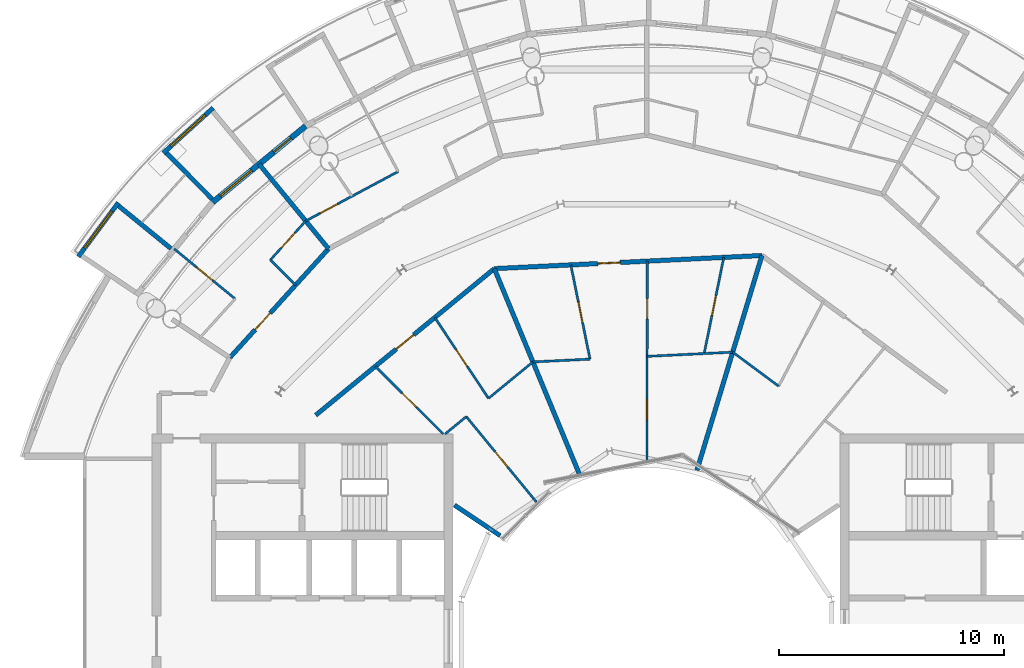
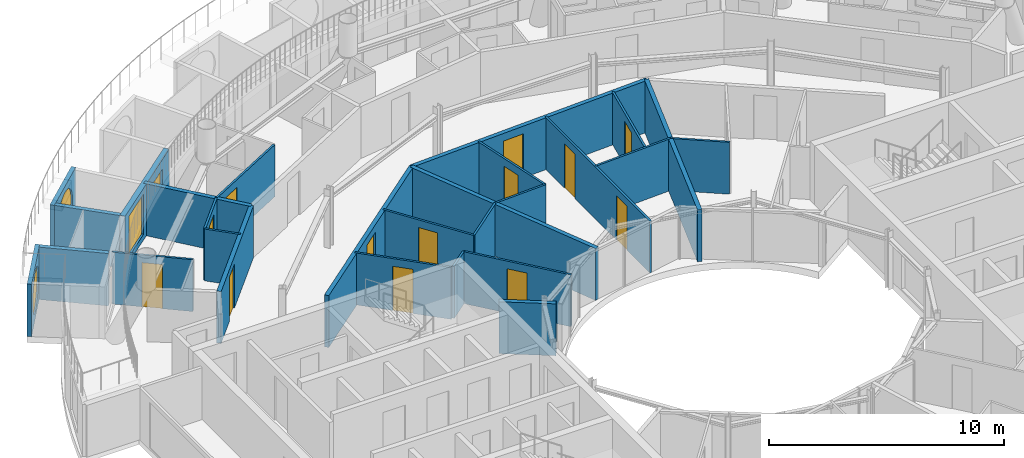
# One storey, part 20 of 29: 27 walls, 14 doors, 3 windows, 17 openings.
"""IFC4 building model written with IfcOpenShell, lengths in metres."""

from ifc_helpers import new_model, si_unit, direction, frame, frame_2d, origin, place, context, subcontext, project, spatial, rectangle, circle, extrude, material, layer, layer_set, type_object, element, fill, save


model = new_model("IFC4")

# Units and contexts
model_context = context("Model", 3, precision=1e-05, world=origin(), true_north=direction((0.0, 1.0)))
body_context = subcontext(model_context, "Body", "Model", "MODEL_VIEW")
ifc_project = project(units=[si_unit("LENGTHUNIT", "METRE"), si_unit("AREAUNIT", "SQUARE_METRE"), si_unit("VOLUMEUNIT", "CUBIC_METRE"), si_unit("PLANEANGLEUNIT", "RADIAN"), si_unit("MASSUNIT", "GRAM", prefix="KILO")], contexts=[model_context])

# Site, building, storey
site_placement = place(None, origin())
site = spatial("IfcSite", under=ifc_project, at=site_placement, CompositionType="ELEMENT")
building_placement = place(site_placement, origin())
building = spatial("IfcBuilding", under=site, at=building_placement, Name="Maasbend Ring Residences", CompositionType="ELEMENT")
storey_placement = place(building_placement, frame((0.0, 0.0, 234.050048828125)))
storey = spatial("IfcBuildingStorey", under=building, at=storey_placement, Name="L67", CompositionType="ELEMENT", Elevation=234.050048828125)

# Wall, opening, door
ifc_material_1 = material(Name="Concrete C30/37", Category="concrete")
ifc_layer_1 = layer(ifc_material_1, 0.199951171875)
ifc_layer_set_1 = layer_set([ifc_layer_1], Name="Concrete C30/37")
wall_type_1 = type_object("IfcWallType", Name="CORRIDOR WALL 200 CONCRETE", PredefinedType="PARTITIONING", material=ifc_layer_set_1)
wall_1_placement = place(storey_placement, frame((-6.77392578125, 16.35302734375, 0.0), z_axis=(0.0, 0.0, 1.0), x_axis=(0.998797244, 0.049031269395, 0.0)))
wall_1 = element("IfcWall", 1, at=wall_1_placement, inside=storey, type_object=wall_type_1, Name="U-L67-w104", PredefinedType="PARTITIONING", context=body_context, shape_type="SweptSolid", body=[
    extrude(rectangle(XDim=11.930419921875, YDim=0.199951171875, at=frame_2d((5.96533203125, 0.0))), origin(), (0.0, 0.0, 1.0), 2.699951171875),
])
opening_1_placement = place(wall_1_placement, frame((4.611083984375, 0.0, 0.0)))
opening_1 = element("IfcOpeningElement", 2, at=opening_1_placement, cuts=wall_1, Name="Opening D-6725", PredefinedType="OPENING", context=body_context, shape_type="SweptSolid", body=[
    extrude(rectangle(XDim=1.0, YDim=2.300048828125, at=frame_2d((0.5, 1.14990234375))), frame((0.0, 0.10986328125, 0.0), z_axis=(0.0, -1.0, 0.0), x_axis=(1.0, 0.0, 0.0)), (0.0, 0.0, 1.0), 0.219970703125),
])
ifc_material_2 = material(Name="Timber, fire-rated, painted", Category="wood")
door_type_1 = type_object("IfcDoorType", Name="FLAT ENTRANCE DOOR 1000 X 2300 FIRE-RATED", OperationType="NOTDEFINED", PredefinedType="DOOR", material=ifc_material_2)
door_1_placement = place(opening_1_placement, origin())
door_1 = element("IfcDoor", 3, at=door_1_placement, inside=storey, type_object=door_type_1, Name="D-6725", OperationType="SINGLE_SWING_LEFT", OverallHeight=2.300048828125, OverallWidth=1.0, PredefinedType="DOOR", context=body_context, shape_type="SweptSolid", body=[
    extrude(rectangle(XDim=1.0, YDim=2.300048828125, at=frame_2d((0.5, 1.14990234375))), frame((0.0, 0.02490234375, 0.0), z_axis=(0.0, -1.0, 0.0), x_axis=(1.0, 0.0, 0.0)), (0.0, 0.0, 1.0), 0.050048828125),
])
fill(opening_1, door_1)

wall_2_placement = place(storey_placement, frame((-14.717041015625, 9.833984375, 0.0), z_axis=(0.0, 0.0, 1.0), x_axis=(0.773034536097, 0.634363938131, 0.0)))
wall_2 = element("IfcWall", 4, at=wall_2_placement, inside=storey, type_object=wall_type_1, Name="U-L67-w106", PredefinedType="PARTITIONING", context=body_context, shape_type="SweptSolid", body=[
    extrude(rectangle(XDim=10.276611328125, YDim=0.199951171875, at=frame_2d((5.13818359375, 0.0))), origin(), (0.0, 0.0, 1.0), 2.699951171875),
])
opening_2_placement = place(wall_2_placement, frame((4.637939453125, 0.0, 0.0)))
opening_2 = element("IfcOpeningElement", 5, at=opening_2_placement, cuts=wall_2, Name="Opening D-6730", PredefinedType="OPENING", context=body_context, shape_type="SweptSolid", body=[
    extrude(rectangle(XDim=1.0, YDim=2.300048828125, at=frame_2d((0.5, 1.14990234375))), frame((0.0, 0.10986328125, 0.0), z_axis=(0.0, -1.0, 0.0), x_axis=(1.0, 0.0, 0.0)), (0.0, 0.0, 1.0), 0.219970703125),
])
door_2_placement = place(opening_2_placement, origin())
door_2 = element("IfcDoor", 6, at=door_2_placement, inside=storey, type_object=door_type_1, Name="D-6730", OperationType="SINGLE_SWING_LEFT", OverallHeight=2.300048828125, OverallWidth=1.0, PredefinedType="DOOR", context=body_context, shape_type="SweptSolid", body=[
    extrude(rectangle(XDim=1.0, YDim=2.300048828125, at=frame_2d((0.5, 1.14990234375))), frame((0.0, 0.02490234375, 0.0), z_axis=(0.0, -1.0, 0.0), x_axis=(1.0, 0.0, 0.0)), (0.0, 0.0, 1.0), 0.050048828125),
])
fill(opening_2, door_2)

wall_3_placement = place(storey_placement, frame((-18.5419921875, 12.388916015625, 0.0), z_axis=(0.0, 0.0, 1.0), x_axis=(0.671561669125, 0.740948665268, 0.0)))
wall_3 = element("IfcWall", 7, at=wall_3_placement, inside=storey, type_object=wall_type_1, Name="U-L67-w112", PredefinedType="PARTITIONING", context=body_context, shape_type="SweptSolid", body=[
    extrude(rectangle(XDim=6.54443359375, YDim=0.199951171875, at=frame_2d((3.272216796875, 0.0))), origin(), (0.0, 0.0, 1.0), 2.699951171875),
])
opening_3_placement = place(wall_3_placement, frame((1.681884765625, 0.0, 0.0)))
opening_3 = element("IfcOpeningElement", 8, at=opening_3_placement, cuts=wall_3, Name="Opening D-6718", PredefinedType="OPENING", context=body_context, shape_type="SweptSolid", body=[
    extrude(rectangle(XDim=1.0, YDim=2.300048828125, at=frame_2d((0.5, 1.14990234375))), frame((0.0, 0.10986328125, 0.0), z_axis=(0.0, -1.0, 0.0), x_axis=(1.0, 0.0, 0.0)), (0.0, 0.0, 1.0), 0.219970703125),
])
door_3_placement = place(opening_3_placement, origin())
door_3 = element("IfcDoor", 9, at=door_3_placement, inside=storey, type_object=door_type_1, Name="D-6718", OperationType="SINGLE_SWING_LEFT", OverallHeight=2.300048828125, OverallWidth=1.0, PredefinedType="DOOR", context=body_context, shape_type="SweptSolid", body=[
    extrude(rectangle(XDim=1.0, YDim=2.300048828125, at=frame_2d((0.5, 1.14990234375))), frame((0.0, 0.02490234375, 0.0), z_axis=(0.0, -1.0, 0.0), x_axis=(1.0, 0.0, 0.0)), (0.0, 0.0, 1.0), 0.050048828125),
])
fill(opening_3, door_3)

# Wall, opening, window
ifc_material_3 = material(Name="Pale anodised aluminium panel", Category="aluminium")
ifc_layer_2 = layer(ifc_material_3, 0.199951171875)
ifc_layer_set_2 = layer_set([ifc_layer_2], Name="EW-BOX")
wall_type_2 = type_object("IfcWallType", Name="EW-BOX", PredefinedType="SOLIDWALL", material=ifc_layer_set_2)
wall_4_placement = place(storey_placement, frame((-19.281982421875, 23.5029296875, -0.030029296875), z_axis=(0.0, 0.0, 1.0), x_axis=(-0.740998365753, -0.671506829416, 0.0)))
wall_4 = element("IfcWall", 10, at=wall_4_placement, inside=storey, type_object=wall_type_2, Name="Box front N18", PredefinedType="SOLIDWALL", context=body_context, shape_type="SweptSolid", body=[
    extrude(rectangle(XDim=2.9931640625, YDim=0.199951171875, at=frame_2d((1.49658203125, 0.0))), origin(), (0.0, 0.0, 1.0), 2.72998046875),
])
opening_4_placement = place(wall_4_placement, frame((0.45654296875, 0.0, 0.330078125)))
opening_4 = element("IfcOpeningElement", 11, at=opening_4_placement, cuts=wall_4, Name="Opening W-RD", PredefinedType="OPENING", context=body_context, shape_type="SweptSolid", body=[
    extrude(circle(Radius=1.0400390625, at=frame_2d((1.0400390625, 1.0400390625))), frame((0.0, 0.10986328125, 0.0), z_axis=(0.0, -1.0, 0.0), x_axis=(1.0, 0.0, 0.0)), (0.0, 0.0, 1.0), 0.219970703125),
])
ifc_material_4 = material(Name="Aluminium and clear glass", Category="aluminium")
window_type_1 = type_object("IfcWindowType", Name="W-RD", PartitioningType="SINGLE_PANEL", PredefinedType="WINDOW", material=ifc_material_4)
window_1_placement = place(opening_4_placement, origin())
window_1 = element("IfcWindow", 12, at=window_1_placement, inside=storey, type_object=window_type_1, Name="Round window N18", OverallHeight=2.080078125, OverallWidth=2.080078125, PartitioningType="SINGLE_PANEL", PredefinedType="WINDOW", context=body_context, shape_type="SweptSolid", body=[
    extrude(circle(Radius=1.0400390625, at=frame_2d((1.0400390625, 1.0400390625))), frame((0.0, 0.030029296875, 0.0), z_axis=(0.0, -1.0, 0.0), x_axis=(1.0, 0.0, 0.0)), (0.0, 0.0, 1.0), 0.06005859375),
])
fill(opening_4, window_1)

# Wall
wall_5_placement = place(storey_placement, frame((-19.322998046875, 19.449951171875, -0.030029296875), z_axis=(0.0, 0.0, 1.0), x_axis=(-0.704476739375, 0.709727076896, 0.0)))
element("IfcWall", 13, at=wall_5_placement, inside=storey, type_object=wall_type_2, Name="Box side wall N18 right", PredefinedType="SOLIDWALL", context=body_context, shape_type="SweptSolid", body=[
    extrude(rectangle(XDim=2.883056640625, YDim=0.199951171875, at=frame_2d((1.44140625, 0.0))), origin(), (0.0, 0.0, 1.0), 2.72998046875),
])

# Wall, opening, window
wall_6_placement = place(storey_placement, frame((-23.49609375, 19.2890625, -0.030029296875), z_axis=(0.0, 0.0, 1.0), x_axis=(-0.595908005124, -0.803052706508, 0.0)))
wall_6 = element("IfcWall", 14, at=wall_6_placement, inside=storey, type_object=wall_type_2, Name="Box front N20", PredefinedType="SOLIDWALL", context=body_context, shape_type="SweptSolid", body=[
    extrude(rectangle(XDim=2.99365234375, YDim=0.199951171875, at=frame_2d((1.496826171875, 0.0))), origin(), (0.0, 0.0, 1.0), 2.72998046875),
])
opening_5_placement = place(wall_6_placement, frame((0.45654296875, 0.0, 0.330078125)))
opening_5 = element("IfcOpeningElement", 15, at=opening_5_placement, cuts=wall_6, Name="Opening W-RD", PredefinedType="OPENING", context=body_context, shape_type="SweptSolid", body=[
    extrude(circle(Radius=1.0400390625, at=frame_2d((1.0400390625, 1.0400390625))), frame((0.0, 0.10986328125, 0.0), z_axis=(0.0, -1.0, 0.0), x_axis=(1.0, 0.0, 0.0)), (0.0, 0.0, 1.0), 0.219970703125),
])
window_2_placement = place(opening_5_placement, origin())
window_2 = element("IfcWindow", 16, at=window_2_placement, inside=storey, type_object=window_type_1, Name="Round window N20", OverallHeight=2.080078125, OverallWidth=2.080078125, PartitioningType="SINGLE_PANEL", PredefinedType="WINDOW", context=body_context, shape_type="SweptSolid", body=[
    extrude(circle(Radius=1.0400390625, at=frame_2d((1.0400390625, 1.0400390625))), frame((0.0, 0.030029296875, 0.0), z_axis=(0.0, -1.0, 0.0), x_axis=(1.0, 0.0, 0.0)), (0.0, 0.0, 1.0), 0.06005859375),
])
fill(opening_5, window_2)

# Wall
wall_7_placement = place(storey_placement, frame((-21.155029296875, 17.24609375, -0.030029296875), z_axis=(0.0, 0.0, 1.0), x_axis=(-0.775338113639, 0.631546363729, 0.0)))
element("IfcWall", 17, at=wall_7_placement, inside=storey, type_object=wall_type_2, Name="Box side wall N20 left", PredefinedType="SOLIDWALL", context=body_context, shape_type="SweptSolid", body=[
    extrude(rectangle(XDim=3.005126953125, YDim=0.199951171875, at=frame_2d((1.50244140625, 0.0))), origin(), (0.0, 0.0, 1.0), 2.72998046875),
])

# Wall, openings, door, window
ifc_material_5 = material(Name="Aluminium clad insulated panel", Category="aluminium")
ifc_layer_3 = layer(ifc_material_5, 0.25)
ifc_layer_set_3 = layer_set([ifc_layer_3], Name="EW-GL")
wall_type_3 = type_object("IfcWallType", Name="EW-GL", PredefinedType="SOLIDWALL", material=ifc_layer_set_3)
wall_8_placement = place(storey_placement, frame((-15.1669921875, 22.698974609375, 0.0), z_axis=(0.0, 0.0, 1.0), x_axis=(-0.773019449054, -0.634382322723, 0.0)))
wall_8 = element("IfcWall", 18, at=wall_8_placement, inside=storey, type_object=wall_type_3, Name="External wall N09", PredefinedType="SOLIDWALL", context=body_context, shape_type="SweptSolid", body=[
    extrude(rectangle(XDim=5.351806640625, YDim=0.25, at=frame_2d((2.67578125, 0.0))), origin(), (0.0, 0.0, 1.0), 2.699951171875),
])
opening_6_placement = place(wall_8_placement, frame((0.841064453125, 0.0, 0.0)))
opening_6 = element("IfcOpeningElement", 19, at=opening_6_placement, cuts=wall_8, Name="Opening D-LG", PredefinedType="OPENING", context=body_context, shape_type="SweptSolid", body=[
    extrude(rectangle(XDim=1.0, YDim=2.199951171875, at=frame_2d((0.5, 1.10009765625))), frame((0.0, 0.135009765625, 0.0), z_axis=(0.0, -1.0, 0.0), x_axis=(1.0, 0.0, 0.0)), (0.0, 0.0, 1.0), 0.27001953125),
])
opening_7_placement = place(wall_8_placement, frame((3.110595703125, 0.0, 0.300048828125)))
opening_7 = element("IfcOpeningElement", 20, at=opening_7_placement, cuts=wall_8, Name="Opening W-BX", PredefinedType="OPENING", context=body_context, shape_type="SweptSolid", body=[
    extrude(rectangle(XDim=1.800048828125, YDim=2.10009765625, at=frame_2d((0.89990234375, 1.050048828125))), frame((0.0, 0.135009765625, 0.0), z_axis=(0.0, -1.0, 0.0), x_axis=(1.0, 0.0, 0.0)), (0.0, 0.0, 1.0), 0.27001953125),
])
ifc_material_6 = material(Name="Aluminium and clear glass", Category="aluminium")
door_type_2 = type_object("IfcDoorType", Name="D-LG", OperationType="SINGLE_SWING_LEFT", PredefinedType="DOOR", material=ifc_material_6)
door_4_placement = place(opening_6_placement, origin())
door_4 = element("IfcDoor", 21, at=door_4_placement, inside=storey, type_object=door_type_2, Name="Loggia door N17", OperationType="SINGLE_SWING_LEFT", OverallHeight=2.199951171875, OverallWidth=1.0, PredefinedType="DOOR", context=body_context, shape_type="SweptSolid", body=[
    extrude(rectangle(XDim=1.0, YDim=2.199951171875, at=frame_2d((0.5, 1.10009765625))), frame((0.0, 0.02490234375, 0.0), z_axis=(0.0, -1.0, 0.0), x_axis=(1.0, 0.0, 0.0)), (0.0, 0.0, 1.0), 0.050048828125),
])
fill(opening_6, door_4)
ifc_material_7 = material(Name="Aluminium and clear glass", Category="aluminium")
window_type_2 = type_object("IfcWindowType", Name="W-BX", PartitioningType="DOUBLE_PANEL_VERTICAL", PredefinedType="WINDOW", material=ifc_material_7)
window_3_placement = place(opening_7_placement, origin())
window_3 = element("IfcWindow", 22, at=window_3_placement, inside=storey, type_object=window_type_2, Name="Window N18 room to box", OverallHeight=2.10009765625, OverallWidth=1.800048828125, PartitioningType="SINGLE_PANEL", PredefinedType="WINDOW", context=body_context, shape_type="SweptSolid", body=[
    extrude(rectangle(XDim=1.800048828125, YDim=2.10009765625, at=frame_2d((0.89990234375, 1.050048828125))), frame((0.0, 0.030029296875, 0.0), z_axis=(0.0, -1.0, 0.0), x_axis=(1.0, 0.0, 0.0)), (0.0, 0.0, 1.0), 0.06005859375),
])
fill(opening_7, window_3)

# Wall, opening, door
ifc_material_8 = material(Name="Gypsum board on steel studs", Category="steel")
ifc_layer_4 = layer(ifc_material_8, 0.10009765625)
ifc_layer_set_4 = layer_set([ifc_layer_4], Name="PARTITION 100 GYPSUM")
wall_type_4 = type_object("IfcWallType", Name="PARTITION 100 GYPSUM", PredefinedType="PARTITIONING", material=ifc_layer_set_4)
wall_9_placement = place(storey_placement, frame((-21.011962890625, 17.23291015625, 0.0), z_axis=(0.0, 0.0, 1.0), x_axis=(0.773165322764, -0.634204528267, 0.0)))
wall_9 = element("IfcWall", 23, at=wall_9_placement, inside=storey, type_object=wall_type_4, Name="U-L67-w042", PredefinedType="PARTITIONING", context=body_context, shape_type="SweptSolid", body=[
    extrude(rectangle(XDim=3.505126953125, YDim=0.10009765625, at=frame_2d((1.75244140625, 0.0))), origin(), (0.0, 0.0, 1.0), 2.699951171875),
])
opening_8_placement = place(wall_9_placement, frame((1.302978515625, 0.0, 0.0)))
opening_8 = element("IfcOpeningElement", 24, at=opening_8_placement, cuts=wall_9, Name="Opening D-6720", PredefinedType="OPENING", context=body_context, shape_type="SweptSolid", body=[
    extrude(rectangle(XDim=0.89990234375, YDim=2.300048828125, at=frame_2d((0.449951171875, 1.14990234375))), frame((0.0, 0.06005859375, 0.0), z_axis=(0.0, -1.0, 0.0), x_axis=(1.0, 0.0, 0.0)), (0.0, 0.0, 1.0), 0.1201171875),
])
ifc_material_9 = material(Name="Timber, painted", Category="wood")
door_type_3 = type_object("IfcDoorType", Name="INTERNAL DOOR 900 X 2300", OperationType="NOTDEFINED", PredefinedType="DOOR", material=ifc_material_9)
door_5_placement = place(opening_8_placement, origin())
door_5 = element("IfcDoor", 25, at=door_5_placement, inside=storey, type_object=door_type_3, Name="D-6720", OperationType="SINGLE_SWING_LEFT", OverallHeight=2.300048828125, OverallWidth=0.89990234375, PredefinedType="DOOR", context=body_context, shape_type="SweptSolid", body=[
    extrude(rectangle(XDim=0.89990234375, YDim=2.300048828125, at=frame_2d((0.449951171875, 1.14990234375))), frame((0.0, 0.02490234375, 0.0), z_axis=(0.0, -1.0, 0.0), x_axis=(1.0, 0.0, 0.0)), (0.0, 0.0, 1.0), 0.050048828125),
])
fill(opening_8, door_5)

# Wall
wall_10_placement = place(storey_placement, frame((-16.73193359375, 16.742919921875, 0.0), z_axis=(0.0, 0.0, 1.0), x_axis=(0.70679853939, -0.707414888673, 0.0)))
element("IfcWall", 26, at=wall_10_placement, inside=storey, type_object=wall_type_4, Name="U-L67-w045", PredefinedType="PARTITIONING", context=body_context, shape_type="SweptSolid", body=[
    extrude(rectangle(XDim=1.58447265625, YDim=0.10009765625, at=frame_2d((0.792236328125, 0.0))), origin(), (0.0, 0.0, 1.0), 2.699951171875),
])

# Wall, opening, door
wall_11_placement = place(storey_placement, frame((-12.069091796875, 12.007080078125, 0.0), z_axis=(0.0, 0.0, 1.0), x_axis=(0.708851268309, -0.705357979622, 0.0)))
wall_11 = element("IfcWall", 27, at=wall_11_placement, inside=storey, type_object=wall_type_4, Name="U-L67-w050", PredefinedType="PARTITIONING", context=body_context, shape_type="SweptSolid", body=[
    extrude(rectangle(XDim=4.26318359375, YDim=0.10009765625, at=frame_2d((2.131591796875, 0.0))), origin(), (0.0, 0.0, 1.0), 2.699951171875),
])
opening_9_placement = place(wall_11_placement, frame((1.681884765625, 0.0, 0.0)))
opening_9 = element("IfcOpeningElement", 28, at=opening_9_placement, cuts=wall_11, Name="Opening D-6732", PredefinedType="OPENING", context=body_context, shape_type="SweptSolid", body=[
    extrude(rectangle(XDim=0.89990234375, YDim=2.300048828125, at=frame_2d((0.449951171875, 1.14990234375))), frame((0.0, 0.06005859375, 0.0), z_axis=(0.0, -1.0, 0.0), x_axis=(1.0, 0.0, 0.0)), (0.0, 0.0, 1.0), 0.1201171875),
])
door_6_placement = place(opening_9_placement, origin())
door_6 = element("IfcDoor", 29, at=door_6_placement, inside=storey, type_object=door_type_3, Name="D-6732", OperationType="SINGLE_SWING_RIGHT", OverallHeight=2.300048828125, OverallWidth=0.89990234375, PredefinedType="DOOR", context=body_context, shape_type="SweptSolid", body=[
    extrude(rectangle(XDim=0.89990234375, YDim=2.300048828125, at=frame_2d((0.449951171875, 1.14990234375))), frame((0.0, 0.02490234375, 0.0), z_axis=(0.0, -1.0, 0.0), x_axis=(1.0, 0.0, 0.0)), (0.0, 0.0, 1.0), 0.050048828125),
])
fill(opening_9, door_6)

wall_12_placement = place(storey_placement, frame((-9.4208984375, 14.179931640625, 0.0), z_axis=(0.0, 0.0, 1.0), x_axis=(0.553303732327, -0.832979579457, 0.0)))
wall_12 = element("IfcWall", 30, at=wall_12_placement, inside=storey, type_object=wall_type_4, Name="U-L67-w053", PredefinedType="PARTITIONING", context=body_context, shape_type="SweptSolid", body=[
    extrude(rectangle(XDim=4.3193359375, YDim=0.10009765625, at=frame_2d((2.15966796875, 0.0))), origin(), (0.0, 0.0, 1.0), 2.699951171875),
])
opening_10_placement = place(wall_12_placement, frame((1.7099609375, 0.0, 0.0)))
opening_10 = element("IfcOpeningElement", 31, at=opening_10_placement, cuts=wall_12, Name="Opening D-6731", PredefinedType="OPENING", context=body_context, shape_type="SweptSolid", body=[
    extrude(rectangle(XDim=0.89990234375, YDim=2.300048828125, at=frame_2d((0.449951171875, 1.14990234375))), frame((0.0, 0.06005859375, 0.0), z_axis=(0.0, -1.0, 0.0), x_axis=(1.0, 0.0, 0.0)), (0.0, 0.0, 1.0), 0.1201171875),
])
door_7_placement = place(opening_10_placement, origin())
door_7 = element("IfcDoor", 32, at=door_7_placement, inside=storey, type_object=door_type_3, Name="D-6731", OperationType="SINGLE_SWING_RIGHT", OverallHeight=2.300048828125, OverallWidth=0.89990234375, PredefinedType="DOOR", context=body_context, shape_type="SweptSolid", body=[
    extrude(rectangle(XDim=0.89990234375, YDim=2.300048828125, at=frame_2d((0.449951171875, 1.14990234375))), frame((0.0, 0.02490234375, 0.0), z_axis=(0.0, -1.0, 0.0), x_axis=(1.0, 0.0, 0.0)), (0.0, 0.0, 1.0), 0.050048828125),
])
fill(opening_10, door_7)

wall_13_placement = place(storey_placement, frame((-8.01904296875, 9.77099609375, 0.0), z_axis=(0.0, 0.0, 1.0), x_axis=(0.634401778971, -0.773003481776, 0.0)))
wall_13 = element("IfcWall", 33, at=wall_13_placement, inside=storey, type_object=wall_type_4, Name="U-L67-w055", PredefinedType="PARTITIONING", context=body_context, shape_type="SweptSolid", body=[
    extrude(rectangle(XDim=4.919677734375, YDim=0.10009765625, at=frame_2d((2.4599609375, 0.0))), origin(), (0.0, 0.0, 1.0), 2.699951171875),
])
opening_11_placement = place(wall_13_placement, frame((2.010009765625, 0.0, 0.0)))
opening_11 = element("IfcOpeningElement", 34, at=opening_11_placement, cuts=wall_13, Name="Opening D-6733", PredefinedType="OPENING", context=body_context, shape_type="SweptSolid", body=[
    extrude(rectangle(XDim=0.89990234375, YDim=2.300048828125, at=frame_2d((0.449951171875, 1.14990234375))), frame((0.0, 0.06005859375, 0.0), z_axis=(0.0, -1.0, 0.0), x_axis=(1.0, 0.0, 0.0)), (0.0, 0.0, 1.0), 0.1201171875),
])
door_8_placement = place(opening_11_placement, origin())
door_8 = element("IfcDoor", 35, at=door_8_placement, inside=storey, type_object=door_type_3, Name="D-6733", OperationType="SINGLE_SWING_RIGHT", OverallHeight=2.300048828125, OverallWidth=0.89990234375, PredefinedType="DOOR", context=body_context, shape_type="SweptSolid", body=[
    extrude(rectangle(XDim=0.89990234375, YDim=2.300048828125, at=frame_2d((0.449951171875, 1.14990234375))), frame((0.0, 0.02490234375, 0.0), z_axis=(0.0, -1.0, 0.0), x_axis=(1.0, 0.0, 0.0)), (0.0, 0.0, 1.0), 0.050048828125),
])
fill(opening_11, door_8)

wall_14_placement = place(storey_placement, frame((-3.3701171875, 16.52001953125, 0.0), z_axis=(0.0, 0.0, 1.0), x_axis=(0.199889579004, -0.979818430224, 0.0)))
wall_14 = element("IfcWall", 36, at=wall_14_placement, inside=storey, type_object=wall_type_4, Name="U-L67-w062", PredefinedType="PARTITIONING", context=body_context, shape_type="SweptSolid", body=[
    extrude(rectangle(XDim=4.278564453125, YDim=0.10009765625, at=frame_2d((2.13916015625, 0.0))), origin(), (0.0, 0.0, 1.0), 2.699951171875),
])
opening_12_placement = place(wall_14_placement, frame((1.68896484375, 0.0, 0.0)))
opening_12 = element("IfcOpeningElement", 37, at=opening_12_placement, cuts=wall_14, Name="Opening D-6726", PredefinedType="OPENING", context=body_context, shape_type="SweptSolid", body=[
    extrude(rectangle(XDim=0.89990234375, YDim=2.300048828125, at=frame_2d((0.449951171875, 1.14990234375))), frame((0.0, 0.06005859375, 0.0), z_axis=(0.0, -1.0, 0.0), x_axis=(1.0, 0.0, 0.0)), (0.0, 0.0, 1.0), 0.1201171875),
])
door_9_placement = place(opening_12_placement, origin())
door_9 = element("IfcDoor", 38, at=door_9_placement, inside=storey, type_object=door_type_3, Name="D-6726", OperationType="SINGLE_SWING_RIGHT", OverallHeight=2.300048828125, OverallWidth=0.89990234375, PredefinedType="DOOR", context=body_context, shape_type="SweptSolid", body=[
    extrude(rectangle(XDim=0.89990234375, YDim=2.300048828125, at=frame_2d((0.449951171875, 1.14990234375))), frame((0.0, 0.02490234375, 0.0), z_axis=(0.0, -1.0, 0.0), x_axis=(1.0, 0.0, 0.0)), (0.0, 0.0, 1.0), 0.050048828125),
])
fill(opening_12, door_9)

# Wall, openings, doors
wall_15_placement = place(storey_placement, frame((0.01611328125, 7.719970703125, 0.0), z_axis=(0.0, 0.0, 1.0), x_axis=(0.001878621205, 0.99999823539, 0.0)))
wall_15 = element("IfcWall", 39, at=wall_15_placement, inside=storey, type_object=wall_type_4, Name="U-L67-w069", PredefinedType="PARTITIONING", context=body_context, shape_type="SweptSolid", body=[
    extrude(rectangle(XDim=8.967041015625, YDim=0.10009765625, at=frame_2d((4.4833984375, 0.0))), origin(), (0.0, 0.0, 1.0), 2.699951171875),
])
opening_13_placement = place(wall_15_placement, frame((6.39990234375, 0.0, 0.0)))
opening_13 = element("IfcOpeningElement", 40, at=opening_13_placement, cuts=wall_15, Name="Opening D-6727", PredefinedType="OPENING", context=body_context, shape_type="SweptSolid", body=[
    extrude(rectangle(XDim=0.89990234375, YDim=2.300048828125, at=frame_2d((0.449951171875, 1.14990234375))), frame((0.0, 0.06005859375, 0.0), z_axis=(0.0, -1.0, 0.0), x_axis=(1.0, 0.0, 0.0)), (0.0, 0.0, 1.0), 0.1201171875),
])
opening_14_placement = place(wall_15_placement, frame((1.9169921875, 0.0, 0.0)))
opening_14 = element("IfcOpeningElement", 41, at=opening_14_placement, cuts=wall_15, Name="Opening D-6729", PredefinedType="OPENING", context=body_context, shape_type="SweptSolid", body=[
    extrude(rectangle(XDim=0.89990234375, YDim=2.300048828125, at=frame_2d((0.449951171875, 1.14990234375))), frame((0.0, 0.06005859375, 0.0), z_axis=(0.0, -1.0, 0.0), x_axis=(1.0, 0.0, 0.0)), (0.0, 0.0, 1.0), 0.1201171875),
])
door_10_placement = place(opening_13_placement, origin())
door_10 = element("IfcDoor", 42, at=door_10_placement, inside=storey, type_object=door_type_3, Name="D-6727", OperationType="SINGLE_SWING_RIGHT", OverallHeight=2.300048828125, OverallWidth=0.89990234375, PredefinedType="DOOR", context=body_context, shape_type="SweptSolid", body=[
    extrude(rectangle(XDim=0.89990234375, YDim=2.300048828125, at=frame_2d((0.449951171875, 1.14990234375))), frame((0.0, 0.02490234375, 0.0), z_axis=(0.0, -1.0, 0.0), x_axis=(1.0, 0.0, 0.0)), (0.0, 0.0, 1.0), 0.050048828125),
])
fill(opening_13, door_10)
door_11_placement = place(opening_14_placement, origin())
door_11 = element("IfcDoor", 43, at=door_11_placement, inside=storey, type_object=door_type_3, Name="D-6729", OperationType="SINGLE_SWING_LEFT", OverallHeight=2.300048828125, OverallWidth=0.89990234375, PredefinedType="DOOR", context=body_context, shape_type="SweptSolid", body=[
    extrude(rectangle(XDim=0.89990234375, YDim=2.300048828125, at=frame_2d((0.449951171875, 1.14990234375))), frame((0.0, 0.02490234375, 0.0), z_axis=(0.0, -1.0, 0.0), x_axis=(1.0, 0.0, 0.0)), (0.0, 0.0, 1.0), 0.050048828125),
])
fill(opening_14, door_11)

# Wall, opening, door
wall_16_placement = place(storey_placement, frame((2.56396484375, 12.577880859375, 0.0), z_axis=(0.0, 0.0, 1.0), x_axis=(0.199826294126, 0.979831338637, 0.0)))
wall_16 = element("IfcWall", 44, at=wall_16_placement, inside=storey, type_object=wall_type_4, Name="U-L67-w073", PredefinedType="PARTITIONING", context=body_context, shape_type="SweptSolid", body=[
    extrude(rectangle(XDim=4.3642578125, YDim=0.10009765625, at=frame_2d((2.18212890625, 0.0))), origin(), (0.0, 0.0, 1.0), 2.699951171875),
])
opening_15_placement = place(wall_16_placement, frame((1.73193359375, 0.0, 0.0)))
opening_15 = element("IfcOpeningElement", 45, at=opening_15_placement, cuts=wall_16, Name="Opening D-6728", PredefinedType="OPENING", context=body_context, shape_type="SweptSolid", body=[
    extrude(rectangle(XDim=0.89990234375, YDim=2.300048828125, at=frame_2d((0.449951171875, 1.14990234375))), frame((0.0, 0.06005859375, 0.0), z_axis=(0.0, -1.0, 0.0), x_axis=(1.0, 0.0, 0.0)), (0.0, 0.0, 1.0), 0.1201171875),
])
door_12_placement = place(opening_15_placement, origin())
door_12 = element("IfcDoor", 46, at=door_12_placement, inside=storey, type_object=door_type_3, Name="D-6728", OperationType="SINGLE_SWING_RIGHT", OverallHeight=2.300048828125, OverallWidth=0.89990234375, PredefinedType="DOOR", context=body_context, shape_type="SweptSolid", body=[
    extrude(rectangle(XDim=0.89990234375, YDim=2.300048828125, at=frame_2d((0.449951171875, 1.14990234375))), frame((0.0, 0.02490234375, 0.0), z_axis=(0.0, -1.0, 0.0), x_axis=(1.0, 0.0, 0.0)), (0.0, 0.0, 1.0), 0.050048828125),
])
fill(opening_15, door_12)

# Walls
wall_17_placement = place(storey_placement, frame((-5.054931640625, 12.2041015625, 0.0), z_axis=(0.0, 0.0, 1.0), x_axis=(0.998814742872, 0.048673498139, 0.0)))
element("IfcWall", 47, at=wall_17_placement, inside=storey, type_object=wall_type_4, Name="U-L67-w098", PredefinedType="PARTITIONING", context=body_context, shape_type="SweptSolid", body=[
    extrude(rectangle(XDim=2.54296875, YDim=0.10009765625, at=frame_2d((1.271484375, 0.0))), origin(), (0.0, 0.0, 1.0), 2.699951171875),
])
wall_18_placement = place(storey_placement, frame((0.028076171875, 12.451904296875, 0.0), z_axis=(0.0, 0.0, 1.0), x_axis=(0.998809918802, 0.04877239078, 0.0)))
element("IfcWall", 48, at=wall_18_placement, inside=storey, type_object=wall_type_4, Name="U-L67-w099", PredefinedType="PARTITIONING", context=body_context, shape_type="SweptSolid", body=[
    extrude(rectangle(XDim=3.814453125, YDim=0.10009765625, at=frame_2d((1.9072265625, 0.0))), origin(), (0.0, 0.0, 1.0), 2.699951171875),
])
wall_19_placement = place(storey_placement, frame((3.833984375, 12.639892578125, 0.0), z_axis=(0.0, 0.0, 1.0), x_axis=(0.803259509791, -0.595629213463, 0.0)))
element("IfcWall", 49, at=wall_19_placement, inside=storey, type_object=wall_type_4, Name="U-L67-w100", PredefinedType="PARTITIONING", context=body_context, shape_type="SweptSolid", body=[
    extrude(rectangle(XDim=2.54345703125, YDim=0.10009765625, at=frame_2d((1.271728515625, 0.0))), origin(), (0.0, 0.0, 1.0), 2.699951171875),
])
wall_20_placement = place(storey_placement, frame((-8.962890625, 8.99609375, 0.0), z_axis=(0.0, 0.0, 1.0), x_axis=(0.772887322122, 0.63454329033, 0.0)))
element("IfcWall", 50, at=wall_20_placement, inside=storey, type_object=wall_type_4, Name="U-L67-w102", PredefinedType="PARTITIONING", context=body_context, shape_type="SweptSolid", body=[
    extrude(rectangle(XDim=1.22119140625, YDim=0.10009765625, at=frame_2d((0.610595703125, 0.0))), origin(), (0.0, 0.0, 1.0), 2.699951171875),
])
wall_21_placement = place(storey_placement, frame((-7.031982421875, 10.5810546875, 0.0), z_axis=(0.0, 0.0, 1.0), x_axis=(0.772836687877, 0.634604958908, 0.0)))
element("IfcWall", 51, at=wall_21_placement, inside=storey, type_object=wall_type_4, Name="U-L67-w103", PredefinedType="PARTITIONING", context=body_context, shape_type="SweptSolid", body=[
    extrude(rectangle(XDim=2.5556640625, YDim=0.10009765625, at=frame_2d((1.27783203125, 0.0))), origin(), (0.0, 0.0, 1.0), 2.699951171875),
])

# Wall, opening, door
wall_22_placement = place(storey_placement, frame((-15.162109375, 18.47509765625, 0.0), z_axis=(0.0, 0.0, 1.0), x_axis=(0.881916280728, 0.471406060405, 0.0)))
wall_22 = element("IfcWall", 52, at=wall_22_placement, inside=storey, type_object=wall_type_4, Name="U-L67-w120", PredefinedType="PARTITIONING", context=body_context, shape_type="SweptSolid", body=[
    extrude(rectangle(XDim=4.66259765625, YDim=0.10009765625, at=frame_2d((2.331298828125, 0.0))), origin(), (0.0, 0.0, 1.0), 2.699951171875),
])
opening_16_placement = place(wall_22_placement, frame((0.716064453125, 0.0, 0.0)))
opening_16 = element("IfcOpeningElement", 53, at=opening_16_placement, cuts=wall_22, Name="Opening D-6717", PredefinedType="OPENING", context=body_context, shape_type="SweptSolid", body=[
    extrude(rectangle(XDim=0.89990234375, YDim=2.300048828125, at=frame_2d((0.449951171875, 1.14990234375))), frame((0.0, 0.06005859375, 0.0), z_axis=(0.0, -1.0, 0.0), x_axis=(1.0, 0.0, 0.0)), (0.0, 0.0, 1.0), 0.1201171875),
])
door_13_placement = place(opening_16_placement, origin())
door_13 = element("IfcDoor", 54, at=door_13_placement, inside=storey, type_object=door_type_3, Name="D-6717", OperationType="SINGLE_SWING_LEFT", OverallHeight=2.300048828125, OverallWidth=0.89990234375, PredefinedType="DOOR", context=body_context, shape_type="SweptSolid", body=[
    extrude(rectangle(XDim=0.89990234375, YDim=2.300048828125, at=frame_2d((0.449951171875, 1.14990234375))), frame((0.0, 0.02490234375, 0.0), z_axis=(0.0, -1.0, 0.0), x_axis=(1.0, 0.0, 0.0)), (0.0, 0.0, 1.0), 0.050048828125),
])
fill(opening_16, door_13)

wall_23_placement = place(storey_placement, frame((-16.73193359375, 16.742919921875, 0.0), z_axis=(0.0, 0.0, 1.0), x_axis=(0.671528384412, 0.740978831634, 0.0)))
wall_23 = element("IfcWall", 55, at=wall_23_placement, inside=storey, type_object=wall_type_4, Name="U-L67-w123", PredefinedType="PARTITIONING", context=body_context, shape_type="SweptSolid", body=[
    extrude(rectangle(XDim=2.337646484375, YDim=0.10009765625, at=frame_2d((1.1689453125, 0.0))), origin(), (0.0, 0.0, 1.0), 2.699951171875),
])
opening_17_placement = place(wall_23_placement, frame((0.718994140625, 0.0, 0.0)))
opening_17 = element("IfcOpeningElement", 56, at=opening_17_placement, cuts=wall_23, Name="Opening D-6719", PredefinedType="OPENING", context=body_context, shape_type="SweptSolid", body=[
    extrude(rectangle(XDim=0.89990234375, YDim=2.300048828125, at=frame_2d((0.449951171875, 1.14990234375))), frame((0.0, 0.06005859375, 0.0), z_axis=(0.0, -1.0, 0.0), x_axis=(1.0, 0.0, 0.0)), (0.0, 0.0, 1.0), 0.1201171875),
])
door_14_placement = place(opening_17_placement, origin())
door_14 = element("IfcDoor", 57, at=door_14_placement, inside=storey, type_object=door_type_3, Name="D-6719", OperationType="SINGLE_SWING_LEFT", OverallHeight=2.300048828125, OverallWidth=0.89990234375, PredefinedType="DOOR", context=body_context, shape_type="SweptSolid", body=[
    extrude(rectangle(XDim=0.89990234375, YDim=2.300048828125, at=frame_2d((0.449951171875, 1.14990234375))), frame((0.0, 0.02490234375, 0.0), z_axis=(0.0, -1.0, 0.0), x_axis=(1.0, 0.0, 0.0)), (0.0, 0.0, 1.0), 0.050048828125),
])
fill(opening_17, door_14)

# Walls
ifc_material_10 = material(Name="Concrete C30/37", Category="concrete")
ifc_layer_5 = layer(ifc_material_10, 0.199951171875)
ifc_layer_set_5 = layer_set([ifc_layer_5], Name="Concrete C30/37")
wall_type_5 = type_object("IfcWallType", Name="PARTY WALL 200 CONCRETE", PredefinedType="PARTITIONING", material=ifc_layer_set_5)
wall_24_placement = place(storey_placement, frame((2.242919921875, 7.386962890625, 0.0), z_axis=(0.0, 0.0, 1.0), x_axis=(0.289692342235, 0.95711981844, 0.0)))
element("IfcWall", 58, at=wall_24_placement, inside=storey, type_object=wall_type_5, Name="U-L67-w036", PredefinedType="PARTITIONING", context=body_context, shape_type="SweptSolid", body=[
    extrude(rectangle(XDim=9.97998046875, YDim=0.199951171875, at=frame_2d((4.989990234375, 0.0))), origin(), (0.0, 0.0, 1.0), 2.699951171875),
])
wall_25_placement = place(storey_placement, frame((-17.239990234375, 21.007080078125, 0.0), z_axis=(0.0, 0.0, 1.0), x_axis=(0.634374159378, -0.773026148273, 0.0)))
element("IfcWall", 59, at=wall_25_placement, inside=storey, type_object=wall_type_5, Name="U-L67-w044", PredefinedType="PARTITIONING", context=body_context, shape_type="SweptSolid", body=[
    extrude(rectangle(XDim=4.875732421875, YDim=0.199951171875, at=frame_2d((2.43798828125, 0.0))), origin(), (0.0, 0.0, 1.0), 2.699951171875),
])
wall_26_placement = place(storey_placement, frame((-6.77294921875, 16.35302734375, 0.0), z_axis=(0.0, 0.0, 1.0), x_axis=(0.382549125466, -0.923935152814, 0.0)))
element("IfcWall", 60, at=wall_26_placement, inside=storey, type_object=wall_type_5, Name="U-L67-w058", PredefinedType="PARTITIONING", context=body_context, shape_type="SweptSolid", body=[
    extrude(rectangle(XDim=9.97998046875, YDim=0.199951171875, at=frame_2d((4.989990234375, 0.0))), origin(), (0.0, 0.0, 1.0), 2.699951171875),
])
wall_27_placement = place(storey_placement, frame((-6.512939453125, 4.471923828125, 0.0), z_axis=(0.0, 0.0, 1.0), x_axis=(-0.831450132577, 0.555599385382, 0.0)))
element("IfcWall", 61, at=wall_27_placement, inside=storey, type_object=wall_type_5, Name="U-L67-w094", PredefinedType="PARTITIONING", context=body_context, shape_type="SweptSolid", body=[
    extrude(rectangle(XDim=2.442626953125, YDim=0.199951171875, at=frame_2d((1.22119140625, 0.0))), origin(), (0.0, 0.0, 1.0), 2.699951171875),
])

save(model, "model.ifc")
